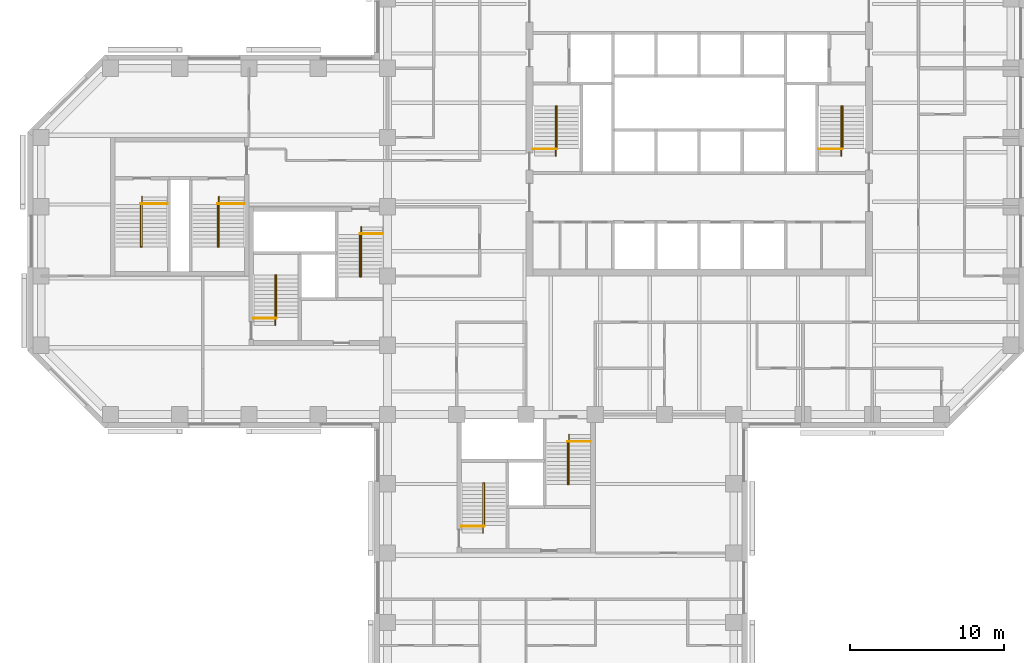
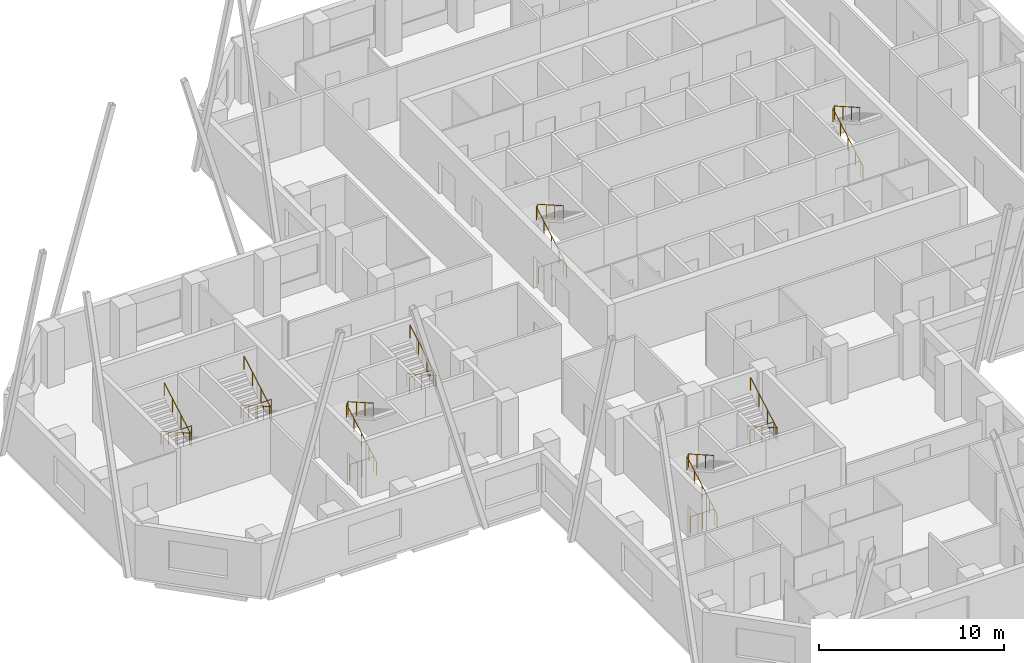
# One storey, part 11 of 11: 16 railings.
"""IFC4 building model written with IfcOpenShell, lengths in metres."""

import ifcopenshell
import ifcopenshell.guid

model = None  # the IFC model being written
_history = None  # IfcOwnerHistory: only IFC2X3 demands one
_inside = {}  # id of a spatial element -> (the spatial element, [elements in it])
_under = {}  # id of a project, library or spatial element -> (it, [spatial elements below it])
_declared = {}  # id of a project -> (the project, [libraries it declares])
_typed = {}  # id of a type object -> (the type object, [elements of that type])
_made_of = {}  # id of a material, layer set ... -> (it, [elements and type objects made of it])


def new_model(schema):
    """Start an empty IFC model of exactly this schema.

    Asked for "IFC4X3", IfcOpenShell would pick the latest addendum, in which some entities
    have other attributes; the version numbers below select the first issue.
    IFC2X3 requires an IfcOwnerHistory on every rooted entity: one is made here for all.
    """
    global model, _history
    if schema == "IFC4X3":
        model = ifcopenshell.file(schema_version=(4, 3, 0, 0))
    else:
        model = ifcopenshell.file(schema=schema)
    _inside.clear()
    _under.clear()
    _declared.clear()
    _typed.clear()
    _made_of.clear()
    _history = None
    if model.schema == "IFC2X3":
        org = make("IfcOrganization", Name="unknown")
        user = make(
            "IfcPersonAndOrganization",
            ThePerson=make("IfcPerson", FamilyName="unknown"),
            TheOrganization=org,
        )
        app = make(
            "IfcApplication",
            ApplicationDeveloper=org,
            Version="unknown",
            ApplicationFullName="unknown",
            ApplicationIdentifier="unknown",
        )
        _history = make(
            "IfcOwnerHistory",
            OwningUser=user,
            OwningApplication=app,
            ChangeAction="ADDED",
            CreationDate=0,
        )
    return model


def make(cls, **values):
    """One entity of the class cls with the attributes given. An attribute that is None is left unset."""
    return model.create_entity(
        cls, **{name: value for name, value in values.items() if value is not None}
    )


def rooted(cls, **values):
    """An entity with a GlobalId (a new one), such as an element, a storey or a relation."""
    return make(cls, GlobalId=ifcopenshell.guid.new(), OwnerHistory=_history, **values)


def si_unit(unit_type, name, prefix=None):
    """IfcSIUnit, for example si_unit("LENGTHUNIT", "METRE", prefix="MILLI")."""
    return make("IfcSIUnit", UnitType=unit_type, Prefix=prefix, Name=name)


def assignment(units):
    """IfcUnitAssignment: the units of a project."""
    return None if units is None else make("IfcUnitAssignment", Units=units)


def point(xyz):
    """IfcCartesianPoint."""
    return None if xyz is None else make("IfcCartesianPoint", Coordinates=xyz)


def direction(xyz):
    """IfcDirection."""
    return None if xyz is None else make("IfcDirection", DirectionRatios=xyz)


def frame(location, z_axis=None, x_axis=None):
    """IfcAxis2Placement3D, a coordinate frame: its origin and axes. An axis left out is left unset."""
    return make(
        "IfcAxis2Placement3D",
        Location=point(location),
        Axis=direction(z_axis),
        RefDirection=direction(x_axis),
    )


def frame_2d(location, x_axis=None):
    """IfcAxis2Placement2D, a coordinate frame in the plane: its origin and x axis."""
    return make(
        "IfcAxis2Placement2D", Location=point(location), RefDirection=direction(x_axis)
    )


def origin():
    """The frame at (0, 0, 0) with its axes left unset."""
    return frame((0.0, 0.0, 0.0))


def origin_2d():
    """The frame at (0, 0) in the plane with its x axis left unset."""
    return frame_2d((0.0, 0.0))


def place(relative_to, where):
    """IfcLocalPlacement: puts the frame where relative to a parent placement (None: the world)."""
    return make(
        "IfcLocalPlacement", PlacementRelTo=relative_to, RelativePlacement=where
    )


def context(
    kind, dimensions, precision=None, world=None, true_north=None, identifier=None
):
    """IfcGeometricRepresentationContext, for example the 3D "Model" context."""
    return make(
        "IfcGeometricRepresentationContext",
        ContextIdentifier=identifier,
        ContextType=kind,
        CoordinateSpaceDimension=dimensions,
        Precision=precision,
        WorldCoordinateSystem=world,
        TrueNorth=true_north,
    )


def subcontext(parent, identifier, kind, view, scale=None):
    """IfcGeometricRepresentationSubContext, for example "Body" below "Model"."""
    return make(
        "IfcGeometricRepresentationSubContext",
        ContextIdentifier=identifier,
        ContextType=kind,
        ParentContext=parent,
        TargetScale=scale,
        TargetView=view,
    )


def project(units=None, contexts=None):
    """IfcProject with its units and contexts."""
    return rooted(
        "IfcProject",
        Name="project",
        RepresentationContexts=contexts,
        UnitsInContext=assignment(units),
    )


def spatial(cls, under=None, at=None, **own):
    """A site, building, storey or space (cls), placed at a placement, below another one or the project."""
    s = rooted(cls, ObjectPlacement=at, **own)
    if under is not None:
        _under.setdefault(under.id(), (under, []))[1].append(s)
    return s


def profile(cls, at=None, kind="AREA", **sizes):
    """A parametric profile (cls). Its sizes go by their IFC names, for example OverallWidth=200.0."""
    return make(cls, ProfileType=kind, Position=at, **sizes)


def circle(**sizes):
    """IfcCircleProfileDef."""
    return profile("IfcCircleProfileDef", **sizes)


def extrude(swept, where, along, depth):
    """IfcExtrudedAreaSolid: the profile swept, set in the frame where, extruded along a direction by depth."""
    return make(
        "IfcExtrudedAreaSolid",
        SweptArea=swept,
        Position=where,
        ExtrudedDirection=direction(along),
        Depth=depth,
    )


def shape(context_of_items, identifier, shape_type, items):
    """IfcShapeRepresentation: the items that make up one representation, for example the "Body"."""
    return make(
        "IfcShapeRepresentation",
        ContextOfItems=context_of_items,
        RepresentationIdentifier=identifier,
        RepresentationType=shape_type,
        Items=items,
    )


def material(Name=None, Category=None):
    """IfcMaterial."""
    return make("IfcMaterial", Name=Name, Category=Category)


def made_of(thing, what):
    """Note that an element or type object is made of a material, layer set ...; save() writes the relation."""
    if what is not None:
        _made_of.setdefault(what.id(), (what, []))[1].append(thing)
    return thing


def type_object(cls, material=None, **own):
    """A type object (cls), such as IfcWallType, which elements share."""
    return made_of(rooted(cls, **own), material)


def element(
    cls,
    number,
    at=None,
    inside=None,
    cuts=None,
    type_object=None,
    material=None,
    context=None,
    identifier="Body",
    shape_type=None,
    held_by="IfcProductDefinitionShape",
    body=None,
    shapes=None,
    **own,
):
    """One element of the class cls, such as IfcWall. Its Tag is "e" and its number.

    at: its placement. inside: the storey or other place that contains it. cuts: it is an
    opening in that element (IfcRelVoidsElement). A single representation is given by context,
    identifier, shape_type and body (its items); several are given by shapes. held_by: the class
    of the entity that holds the representations. save() writes the other relations.
    """
    e = rooted(cls, Tag="e%d" % number, ObjectPlacement=at, **own)
    if body is not None:
        shapes = [shape(context, identifier, shape_type, body)]
    if shapes is not None:
        e.Representation = make(held_by, Representations=shapes)
    if inside is not None:
        _inside.setdefault(inside.id(), (inside, []))[1].append(e)
    if cuts is not None:
        rooted(
            "IfcRelVoidsElement", RelatingBuildingElement=cuts, RelatedOpeningElement=e
        )
    if type_object is not None:
        _typed.setdefault(type_object.id(), (type_object, []))[1].append(e)
    return made_of(e, material)


def aggregate(whole, parts):
    """IfcRelAggregates: a whole, such as a stair, and the parts it consists of."""
    return rooted("IfcRelAggregates", RelatingObject=whole, RelatedObjects=parts)


def save(model, path):
    """Write the relations noted so far, then the file.

    IfcRelAggregates (storeys below a building ...), IfcRelContainedInSpatialStructure (elements
    in a storey), IfcRelDefinesByType, IfcRelAssociatesMaterial and IfcRelDeclares: one each for
    every whole, place, type object, material and project.
    """
    for whole, parts in _under.values():
        aggregate(whole, parts)
    for where, things in _inside.values():
        rooted(
            "IfcRelContainedInSpatialStructure",
            RelatedElements=things,
            RelatingStructure=where,
        )
    for kind, things in _typed.values():
        rooted("IfcRelDefinesByType", RelatedObjects=things, RelatingType=kind)
    for what, things in _made_of.values():
        rooted("IfcRelAssociatesMaterial", RelatedObjects=things, RelatingMaterial=what)
    for by, libraries in _declared.values():
        rooted("IfcRelDeclares", RelatingContext=by, RelatedDefinitions=libraries)
    model.write(path)


model = new_model("IFC4")

# Units and contexts
model_context = context("Model", 3, precision=1e-05, world=origin(), true_north=direction((0.0, 1.0)))
body_context = subcontext(model_context, "Body", "Model", "MODEL_VIEW")
ifc_project = project(units=[si_unit("LENGTHUNIT", "METRE"), si_unit("AREAUNIT", "SQUARE_METRE"), si_unit("VOLUMEUNIT", "CUBIC_METRE"), si_unit("PLANEANGLEUNIT", "RADIAN"), si_unit("MASSUNIT", "GRAM", prefix="KILO")], contexts=[model_context])

# Site, building, storey
site_placement = place(None, origin())
site = spatial("IfcSite", under=ifc_project, at=site_placement, CompositionType="ELEMENT")
building_placement = place(site_placement, origin())
building = spatial("IfcBuilding", under=site, at=building_placement, Name="Quoin Convention Tower", CompositionType="ELEMENT")
storey_placement = place(building_placement, frame((0.0, 0.0, 127.0)))
storey = spatial("IfcBuildingStorey", under=building, at=storey_placement, Name="L33", CompositionType="ELEMENT", Elevation=127.0)

# Railings
ifc_material = material(Name="Stainless steel", Category="steel")
railing_type_1 = type_object("IfcRailingType", Name="Stair handrail 900", PredefinedType="HANDRAIL", material=ifc_material)
railing_1_placement = place(storey_placement, frame((46.929931640625, 57.300048828125, 0.142333984375)))
element("IfcRailing", 1, at=railing_1_placement, inside=storey, type_object=railing_type_1, Name="SD1 handrail 1", PredefinedType="HANDRAIL", context=body_context, shape_type="SweptSolid", body=[
    extrude(circle(Radius=0.02392578125, at=origin_2d()), frame((0.0, 0.0, 0.8759765625), z_axis=(0.0, 0.869081571614, 0.494668800189), x_axis=(-1.0, 0.0, 0.0)), (0.0, 0.0, 1.0), 3.739501953125),
    extrude(circle(Radius=0.02392578125, at=origin_2d()), frame((0.0, 3.25, 2.7255859375), z_axis=(0.53481069233, 0.0, 0.844971906852), x_axis=(0.0, 1.0, 0.0)), (0.0, 0.0, 1.0), 0.16845703125),
    extrude(circle(Radius=0.02392578125, at=origin_2d()), frame((0.090087890625, 3.25, 2.8681640625), z_axis=(0.0, -0.869058607571, 0.494709143443), x_axis=(1.0, 0.0, 0.0)), (0.0, 0.0, 1.0), 3.164306640625),
    extrude(circle(Radius=0.02099609375, at=origin_2d()), origin(), (0.0, 0.0, 1.0), 0.851806640625),
    extrude(circle(Radius=0.02099609375, at=origin_2d()), frame((0.0, 0.8125, 0.46240234375)), (0.0, 0.0, 1.0), 0.851806640625),
    extrude(circle(Radius=0.02099609375, at=origin_2d()), frame((0.0, 1.625, 0.9248046875)), (0.0, 0.0, 1.0), 0.851806640625),
    extrude(circle(Radius=0.02099609375, at=origin_2d()), frame((0.0, 2.4375, 1.387451171875)), (0.0, 0.0, 1.0), 0.851806640625),
    extrude(circle(Radius=0.02099609375, at=origin_2d()), frame((0.0, 3.25, 1.849853515625)), (0.0, 0.0, 1.0), 0.851806640625),
    extrude(circle(Radius=0.02099609375, at=origin_2d()), frame((0.090087890625, 3.25, 1.9921875)), (0.0, 0.0, 1.0), 0.851806640625),
    extrude(circle(Radius=0.02099609375, at=origin_2d()), frame((0.090087890625, 2.333251953125, 2.513916015625)), (0.0, 0.0, 1.0), 0.851806640625),
    extrude(circle(Radius=0.02099609375, at=origin_2d()), frame((0.090087890625, 1.416748046875, 3.035888671875)), (0.0, 0.0, 1.0), 0.851806640625),
    extrude(circle(Radius=0.02099609375, at=origin_2d()), frame((0.090087890625, 0.5, 3.5576171875)), (0.0, 0.0, 1.0), 0.851806640625),
])
railing_2_placement = place(storey_placement, frame((65.47998046875, 57.300048828125, 0.142333984375)))
element("IfcRailing", 2, at=railing_2_placement, inside=storey, type_object=railing_type_1, Name="SD2 handrail 1", PredefinedType="HANDRAIL", context=body_context, shape_type="SweptSolid", body=[
    extrude(circle(Radius=0.02392578125, at=origin_2d()), frame((0.0, 0.0, 0.8759765625), z_axis=(0.0, 0.869081571614, 0.494668800189), x_axis=(-1.0, 0.0, 0.0)), (0.0, 0.0, 1.0), 3.739501953125),
    extrude(circle(Radius=0.02392578125, at=origin_2d()), frame((0.0, 3.25, 2.7255859375), z_axis=(0.53481069233, 0.0, 0.844971906852), x_axis=(0.0, 1.0, 0.0)), (0.0, 0.0, 1.0), 0.16845703125),
    extrude(circle(Radius=0.02392578125, at=origin_2d()), frame((0.090087890625, 3.25, 2.8681640625), z_axis=(0.0, -0.869058607571, 0.494709143443), x_axis=(1.0, 0.0, 0.0)), (0.0, 0.0, 1.0), 3.164306640625),
    extrude(circle(Radius=0.02099609375, at=origin_2d()), origin(), (0.0, 0.0, 1.0), 0.851806640625),
    extrude(circle(Radius=0.02099609375, at=origin_2d()), frame((0.0, 0.8125, 0.46240234375)), (0.0, 0.0, 1.0), 0.851806640625),
    extrude(circle(Radius=0.02099609375, at=origin_2d()), frame((0.0, 1.625, 0.9248046875)), (0.0, 0.0, 1.0), 0.851806640625),
    extrude(circle(Radius=0.02099609375, at=origin_2d()), frame((0.0, 2.4375, 1.387451171875)), (0.0, 0.0, 1.0), 0.851806640625),
    extrude(circle(Radius=0.02099609375, at=origin_2d()), frame((0.0, 3.25, 1.849853515625)), (0.0, 0.0, 1.0), 0.851806640625),
    extrude(circle(Radius=0.02099609375, at=origin_2d()), frame((0.090087890625, 3.25, 1.9921875)), (0.0, 0.0, 1.0), 0.851806640625),
    extrude(circle(Radius=0.02099609375, at=origin_2d()), frame((0.090087890625, 2.333251953125, 2.513916015625)), (0.0, 0.0, 1.0), 0.851806640625),
    extrude(circle(Radius=0.02099609375, at=origin_2d()), frame((0.090087890625, 1.416748046875, 3.035888671875)), (0.0, 0.0, 1.0), 0.851806640625),
    extrude(circle(Radius=0.02099609375, at=origin_2d()), frame((0.090087890625, 0.5, 3.5576171875)), (0.0, 0.0, 1.0), 0.851806640625),
])
railing_3_placement = place(storey_placement, frame((28.705078125, 46.300048828125, 0.142333984375)))
element("IfcRailing", 3, at=railing_3_placement, inside=storey, type_object=railing_type_1, Name="SD3 handrail 1", PredefinedType="HANDRAIL", context=body_context, shape_type="SweptSolid", body=[
    extrude(circle(Radius=0.02392578125, at=origin_2d()), frame((0.0, 0.0, 0.8759765625), z_axis=(0.0, 0.869081571614, 0.494668800189), x_axis=(-1.0, 0.0, 0.0)), (0.0, 0.0, 1.0), 3.739501953125),
    extrude(circle(Radius=0.02392578125, at=origin_2d()), frame((0.0, 3.25, 2.7255859375), z_axis=(0.533774684331, 0.0, 0.845626741753), x_axis=(0.0, 1.0, 0.0)), (0.0, 0.0, 1.0), 0.168212890625),
    extrude(circle(Radius=0.02392578125, at=origin_2d()), frame((0.08984375, 3.25, 2.8681640625), z_axis=(0.0, -0.869058607571, 0.494709143443), x_axis=(1.0, 0.0, 0.0)), (0.0, 0.0, 1.0), 3.164306640625),
    extrude(circle(Radius=0.02099609375, at=origin_2d()), origin(), (0.0, 0.0, 1.0), 0.851806640625),
    extrude(circle(Radius=0.02099609375, at=origin_2d()), frame((0.0, 0.8125, 0.46240234375)), (0.0, 0.0, 1.0), 0.851806640625),
    extrude(circle(Radius=0.02099609375, at=origin_2d()), frame((0.0, 1.625, 0.9248046875)), (0.0, 0.0, 1.0), 0.851806640625),
    extrude(circle(Radius=0.02099609375, at=origin_2d()), frame((0.0, 2.4375, 1.387451171875)), (0.0, 0.0, 1.0), 0.851806640625),
    extrude(circle(Radius=0.02099609375, at=origin_2d()), frame((0.0, 3.25, 1.849853515625)), (0.0, 0.0, 1.0), 0.851806640625),
    extrude(circle(Radius=0.02099609375, at=origin_2d()), frame((0.08984375, 3.25, 1.9921875)), (0.0, 0.0, 1.0), 0.851806640625),
    extrude(circle(Radius=0.02099609375, at=origin_2d()), frame((0.08984375, 2.333251953125, 2.513916015625)), (0.0, 0.0, 1.0), 0.851806640625),
    extrude(circle(Radius=0.02099609375, at=origin_2d()), frame((0.08984375, 1.416748046875, 3.035888671875)), (0.0, 0.0, 1.0), 0.851806640625),
    extrude(circle(Radius=0.02099609375, at=origin_2d()), frame((0.08984375, 0.5, 3.5576171875)), (0.0, 0.0, 1.0), 0.851806640625),
])
railing_4_placement = place(storey_placement, frame((34.294921875, 52.699951171875, 0.142333984375)))
element("IfcRailing", 4, at=railing_4_placement, inside=storey, type_object=railing_type_1, Name="SD4 handrail 1", PredefinedType="HANDRAIL", context=body_context, shape_type="SweptSolid", body=[
    extrude(circle(Radius=0.02392578125, at=origin_2d()), frame((0.0, 0.0, 0.8759765625), z_axis=(0.0, -0.869081571614, 0.494668800189), x_axis=(1.0, 0.0, 0.0)), (0.0, 0.0, 1.0), 3.739501953125),
    extrude(circle(Radius=0.02392578125, at=origin_2d()), frame((0.0, -3.25, 2.7255859375), z_axis=(-0.533774684331, 0.0, 0.845626741753), x_axis=(0.0, -1.0, 0.0)), (0.0, 0.0, 1.0), 0.168212890625),
    extrude(circle(Radius=0.02392578125, at=origin_2d()), frame((-0.08984375, -3.25, 2.8681640625), z_axis=(0.0, 0.869058607571, 0.494709143443), x_axis=(-1.0, 0.0, 0.0)), (0.0, 0.0, 1.0), 3.164306640625),
    extrude(circle(Radius=0.02099609375, at=origin_2d()), origin(), (0.0, 0.0, 1.0), 0.851806640625),
    extrude(circle(Radius=0.02099609375, at=origin_2d()), frame((0.0, -0.8125, 0.46240234375)), (0.0, 0.0, 1.0), 0.851806640625),
    extrude(circle(Radius=0.02099609375, at=origin_2d()), frame((0.0, -1.625, 0.9248046875)), (0.0, 0.0, 1.0), 0.851806640625),
    extrude(circle(Radius=0.02099609375, at=origin_2d()), frame((0.0, -2.4375, 1.387451171875)), (0.0, 0.0, 1.0), 0.851806640625),
    extrude(circle(Radius=0.02099609375, at=origin_2d()), frame((0.0, -3.25, 1.849853515625)), (0.0, 0.0, 1.0), 0.851806640625),
    extrude(circle(Radius=0.02099609375, at=origin_2d()), frame((-0.08984375, -3.25, 1.9921875)), (0.0, 0.0, 1.0), 0.851806640625),
    extrude(circle(Radius=0.02099609375, at=origin_2d()), frame((-0.08984375, -2.333251953125, 2.513916015625)), (0.0, 0.0, 1.0), 0.851806640625),
    extrude(circle(Radius=0.02099609375, at=origin_2d()), frame((-0.08984375, -1.416748046875, 3.035888671875)), (0.0, 0.0, 1.0), 0.851806640625),
    extrude(circle(Radius=0.02099609375, at=origin_2d()), frame((-0.08984375, -0.5, 3.5576171875)), (0.0, 0.0, 1.0), 0.851806640625),
])
railing_5_placement = place(storey_placement, frame((42.205078125, 32.800048828125, 0.142333984375)))
element("IfcRailing", 5, at=railing_5_placement, inside=storey, type_object=railing_type_1, Name="SD5 handrail 1", PredefinedType="HANDRAIL", context=body_context, shape_type="SweptSolid", body=[
    extrude(circle(Radius=0.02392578125, at=origin_2d()), frame((0.0, 0.0, 0.8759765625), z_axis=(0.0, 0.869081571614, 0.494668800189), x_axis=(-1.0, 0.0, 0.0)), (0.0, 0.0, 1.0), 3.739501953125),
    extrude(circle(Radius=0.02392578125, at=origin_2d()), frame((0.0, 3.25, 2.7255859375), z_axis=(0.533774684331, 0.0, 0.845626741753), x_axis=(0.0, 1.0, 0.0)), (0.0, 0.0, 1.0), 0.168212890625),
    extrude(circle(Radius=0.02392578125, at=origin_2d()), frame((0.08984375, 3.25, 2.8681640625), z_axis=(0.0, -0.869058607571, 0.494709143443), x_axis=(1.0, 0.0, 0.0)), (0.0, 0.0, 1.0), 3.164306640625),
    extrude(circle(Radius=0.02099609375, at=origin_2d()), origin(), (0.0, 0.0, 1.0), 0.851806640625),
    extrude(circle(Radius=0.02099609375, at=origin_2d()), frame((0.0, 0.8125, 0.46240234375)), (0.0, 0.0, 1.0), 0.851806640625),
    extrude(circle(Radius=0.02099609375, at=origin_2d()), frame((0.0, 1.625, 0.9248046875)), (0.0, 0.0, 1.0), 0.851806640625),
    extrude(circle(Radius=0.02099609375, at=origin_2d()), frame((0.0, 2.4375, 1.387451171875)), (0.0, 0.0, 1.0), 0.851806640625),
    extrude(circle(Radius=0.02099609375, at=origin_2d()), frame((0.0, 3.25, 1.849853515625)), (0.0, 0.0, 1.0), 0.851806640625),
    extrude(circle(Radius=0.02099609375, at=origin_2d()), frame((0.08984375, 3.25, 1.9921875)), (0.0, 0.0, 1.0), 0.851806640625),
    extrude(circle(Radius=0.02099609375, at=origin_2d()), frame((0.08984375, 2.333251953125, 2.513916015625)), (0.0, 0.0, 1.0), 0.851806640625),
    extrude(circle(Radius=0.02099609375, at=origin_2d()), frame((0.08984375, 1.416748046875, 3.035888671875)), (0.0, 0.0, 1.0), 0.851806640625),
    extrude(circle(Radius=0.02099609375, at=origin_2d()), frame((0.08984375, 0.5, 3.5576171875)), (0.0, 0.0, 1.0), 0.851806640625),
])
railing_6_placement = place(storey_placement, frame((47.794921875, 39.199951171875, 0.142333984375)))
element("IfcRailing", 6, at=railing_6_placement, inside=storey, type_object=railing_type_1, Name="SD6 handrail 1", PredefinedType="HANDRAIL", context=body_context, shape_type="SweptSolid", body=[
    extrude(circle(Radius=0.02392578125, at=origin_2d()), frame((0.0, 0.0, 0.8759765625), z_axis=(0.0, -0.869081571614, 0.494668800189), x_axis=(1.0, 0.0, 0.0)), (0.0, 0.0, 1.0), 3.739501953125),
    extrude(circle(Radius=0.02392578125, at=origin_2d()), frame((0.0, -3.25, 2.7255859375), z_axis=(-0.533774684331, 0.0, 0.845626741753), x_axis=(0.0, -1.0, 0.0)), (0.0, 0.0, 1.0), 0.168212890625),
    extrude(circle(Radius=0.02392578125, at=origin_2d()), frame((-0.08984375, -3.25, 2.8681640625), z_axis=(0.0, 0.869058607571, 0.494709143443), x_axis=(-1.0, 0.0, 0.0)), (0.0, 0.0, 1.0), 3.164306640625),
    extrude(circle(Radius=0.02099609375, at=origin_2d()), origin(), (0.0, 0.0, 1.0), 0.851806640625),
    extrude(circle(Radius=0.02099609375, at=origin_2d()), frame((0.0, -0.8125, 0.46240234375)), (0.0, 0.0, 1.0), 0.851806640625),
    extrude(circle(Radius=0.02099609375, at=origin_2d()), frame((0.0, -1.625, 0.9248046875)), (0.0, 0.0, 1.0), 0.851806640625),
    extrude(circle(Radius=0.02099609375, at=origin_2d()), frame((0.0, -2.4375, 1.387451171875)), (0.0, 0.0, 1.0), 0.851806640625),
    extrude(circle(Radius=0.02099609375, at=origin_2d()), frame((0.0, -3.25, 1.849853515625)), (0.0, 0.0, 1.0), 0.851806640625),
    extrude(circle(Radius=0.02099609375, at=origin_2d()), frame((-0.08984375, -3.25, 1.9921875)), (0.0, 0.0, 1.0), 0.851806640625),
    extrude(circle(Radius=0.02099609375, at=origin_2d()), frame((-0.08984375, -2.333251953125, 2.513916015625)), (0.0, 0.0, 1.0), 0.851806640625),
    extrude(circle(Radius=0.02099609375, at=origin_2d()), frame((-0.08984375, -1.416748046875, 3.035888671875)), (0.0, 0.0, 1.0), 0.851806640625),
    extrude(circle(Radius=0.02099609375, at=origin_2d()), frame((-0.08984375, -0.5, 3.5576171875)), (0.0, 0.0, 1.0), 0.851806640625),
])
railing_7_placement = place(storey_placement, frame((20.044921875, 54.64990234375, 0.142333984375)))
element("IfcRailing", 7, at=railing_7_placement, inside=storey, type_object=railing_type_1, Name="SD11 handrail 1", PredefinedType="HANDRAIL", context=body_context, shape_type="SweptSolid", body=[
    extrude(circle(Radius=0.02392578125, at=origin_2d()), frame((0.0, 0.0, 0.8759765625), z_axis=(0.0, -0.869081571614, 0.494668800189), x_axis=(1.0, 0.0, 0.0)), (0.0, 0.0, 1.0), 3.739501953125),
    extrude(circle(Radius=0.02392578125, at=origin_2d()), frame((0.0, -3.25, 2.7255859375), z_axis=(-0.533774684331, 0.0, 0.845626741753), x_axis=(0.0, -1.0, 0.0)), (0.0, 0.0, 1.0), 0.168212890625),
    extrude(circle(Radius=0.02392578125, at=origin_2d()), frame((-0.08984375, -3.25, 2.8681640625), z_axis=(0.0, 0.869058607571, 0.494709143443), x_axis=(-1.0, 0.0, 0.0)), (0.0, 0.0, 1.0), 3.164306640625),
    extrude(circle(Radius=0.02099609375, at=origin_2d()), origin(), (0.0, 0.0, 1.0), 0.851806640625),
    extrude(circle(Radius=0.02099609375, at=origin_2d()), frame((0.0, -0.8125, 0.46240234375)), (0.0, 0.0, 1.0), 0.851806640625),
    extrude(circle(Radius=0.02099609375, at=origin_2d()), frame((0.0, -1.625, 0.9248046875)), (0.0, 0.0, 1.0), 0.851806640625),
    extrude(circle(Radius=0.02099609375, at=origin_2d()), frame((0.0, -2.4375, 1.387451171875)), (0.0, 0.0, 1.0), 0.851806640625),
    extrude(circle(Radius=0.02099609375, at=origin_2d()), frame((0.0, -3.25, 1.849853515625)), (0.0, 0.0, 1.0), 0.851806640625),
    extrude(circle(Radius=0.02099609375, at=origin_2d()), frame((-0.08984375, -3.25, 1.9921875)), (0.0, 0.0, 1.0), 0.851806640625),
    extrude(circle(Radius=0.02099609375, at=origin_2d()), frame((-0.08984375, -2.333251953125, 2.513916015625)), (0.0, 0.0, 1.0), 0.851806640625),
    extrude(circle(Radius=0.02099609375, at=origin_2d()), frame((-0.08984375, -1.416748046875, 3.035888671875)), (0.0, 0.0, 1.0), 0.851806640625),
    extrude(circle(Radius=0.02099609375, at=origin_2d()), frame((-0.08984375, -0.5, 3.5576171875)), (0.0, 0.0, 1.0), 0.851806640625),
])
railing_8_placement = place(storey_placement, frame((25.044921875, 54.64990234375, 0.142333984375)))
element("IfcRailing", 8, at=railing_8_placement, inside=storey, type_object=railing_type_1, Name="SD12 handrail 1", PredefinedType="HANDRAIL", context=body_context, shape_type="SweptSolid", body=[
    extrude(circle(Radius=0.02392578125, at=origin_2d()), frame((0.0, 0.0, 0.8759765625), z_axis=(0.0, -0.869081571614, 0.494668800189), x_axis=(1.0, 0.0, 0.0)), (0.0, 0.0, 1.0), 3.739501953125),
    extrude(circle(Radius=0.02392578125, at=origin_2d()), frame((0.0, -3.25, 2.7255859375), z_axis=(-0.533774684331, 0.0, 0.845626741753), x_axis=(0.0, -1.0, 0.0)), (0.0, 0.0, 1.0), 0.168212890625),
    extrude(circle(Radius=0.02392578125, at=origin_2d()), frame((-0.08984375, -3.25, 2.8681640625), z_axis=(0.0, 0.869058607571, 0.494709143443), x_axis=(-1.0, 0.0, 0.0)), (0.0, 0.0, 1.0), 3.164306640625),
    extrude(circle(Radius=0.02099609375, at=origin_2d()), origin(), (0.0, 0.0, 1.0), 0.851806640625),
    extrude(circle(Radius=0.02099609375, at=origin_2d()), frame((0.0, -0.8125, 0.46240234375)), (0.0, 0.0, 1.0), 0.851806640625),
    extrude(circle(Radius=0.02099609375, at=origin_2d()), frame((0.0, -1.625, 0.9248046875)), (0.0, 0.0, 1.0), 0.851806640625),
    extrude(circle(Radius=0.02099609375, at=origin_2d()), frame((0.0, -2.4375, 1.387451171875)), (0.0, 0.0, 1.0), 0.851806640625),
    extrude(circle(Radius=0.02099609375, at=origin_2d()), frame((0.0, -3.25, 1.849853515625)), (0.0, 0.0, 1.0), 0.851806640625),
    extrude(circle(Radius=0.02099609375, at=origin_2d()), frame((-0.08984375, -3.25, 1.9921875)), (0.0, 0.0, 1.0), 0.851806640625),
    extrude(circle(Radius=0.02099609375, at=origin_2d()), frame((-0.08984375, -2.333251953125, 2.513916015625)), (0.0, 0.0, 1.0), 0.851806640625),
    extrude(circle(Radius=0.02099609375, at=origin_2d()), frame((-0.08984375, -1.416748046875, 3.035888671875)), (0.0, 0.0, 1.0), 0.851806640625),
    extrude(circle(Radius=0.02099609375, at=origin_2d()), frame((-0.08984375, -0.5, 3.5576171875)), (0.0, 0.0, 1.0), 0.851806640625),
])
railing_type_2 = type_object("IfcRailingType", Name="Stair top guard 1100", PredefinedType="GUARDRAIL", material=ifc_material)
for number, where, name in (
    (9, (45.449951171875, 57.75, 0.0), "SD1 top guard"),
    (10, (64.0, 57.75, 0.0), "SD2 top guard"),
):
    element("IfcRailing", number, at=place(storey_placement, frame(where)), inside=storey, type_object=railing_type_2, Name=name, PredefinedType="GUARDRAIL", context=body_context, shape_type="SweptSolid", body=[
        extrude(circle(Radius=0.02392578125, at=origin_2d()), frame((0.0, 0.0, 1.076171875), z_axis=(1.0, 0.0, 0.0), x_axis=(0.0, 1.0, 0.0)), (0.0, 0.0, 1.0), 1.570068359375),
        extrude(circle(Radius=0.02099609375, at=origin_2d()), origin(), (0.0, 0.0, 1.0), 1.052001953125),
        extrude(circle(Radius=0.02099609375, at=origin_2d()), frame((0.78515625, 0.0, 0.0)), (0.0, 0.0, 1.0), 1.052001953125),
        extrude(circle(Radius=0.02099609375, at=origin_2d()), frame((1.570068359375, 0.0, 0.0)), (0.0, 0.0, 1.0), 1.052001953125),
    ])
railing_9_placement = place(storey_placement, frame((27.300048828125, 46.75, 0.0)))
element("IfcRailing", 11, at=railing_9_placement, inside=storey, type_object=railing_type_2, Name="SD3 top guard", PredefinedType="GUARDRAIL", context=body_context, shape_type="SweptSolid", body=[
    extrude(circle(Radius=0.02392578125, at=origin_2d()), frame((0.0, 0.0, 1.076171875), z_axis=(1.0, 0.0, 0.0), x_axis=(0.0, 1.0, 0.0)), (0.0, 0.0, 1.0), 1.494873046875),
    extrude(circle(Radius=0.02099609375, at=origin_2d()), origin(), (0.0, 0.0, 1.0), 1.052001953125),
    extrude(circle(Radius=0.02099609375, at=origin_2d()), frame((0.74755859375, 0.0, 0.0)), (0.0, 0.0, 1.0), 1.052001953125),
    extrude(circle(Radius=0.02099609375, at=origin_2d()), frame((1.494873046875, 0.0, 0.0)), (0.0, 0.0, 1.0), 1.052001953125),
])
railing_10_placement = place(storey_placement, frame((35.699951171875, 52.25, 0.0)))
element("IfcRailing", 12, at=railing_10_placement, inside=storey, type_object=railing_type_2, Name="SD4 top guard", PredefinedType="GUARDRAIL", context=body_context, shape_type="SweptSolid", body=[
    extrude(circle(Radius=0.02392578125, at=origin_2d()), frame((0.0, 0.0, 1.076171875), z_axis=(-1.0, 0.0, 0.0), x_axis=(0.0, -1.0, 0.0)), (0.0, 0.0, 1.0), 1.494873046875),
    extrude(circle(Radius=0.02099609375, at=origin_2d()), origin(), (0.0, 0.0, 1.0), 1.052001953125),
    extrude(circle(Radius=0.02099609375, at=origin_2d()), frame((-0.74755859375, 0.0, 0.0)), (0.0, 0.0, 1.0), 1.052001953125),
    extrude(circle(Radius=0.02099609375, at=origin_2d()), frame((-1.494873046875, 0.0, 0.0)), (0.0, 0.0, 1.0), 1.052001953125),
])
railing_11_placement = place(storey_placement, frame((40.800048828125, 33.25, 0.0)))
element("IfcRailing", 13, at=railing_11_placement, inside=storey, type_object=railing_type_2, Name="SD5 top guard", PredefinedType="GUARDRAIL", context=body_context, shape_type="SweptSolid", body=[
    extrude(circle(Radius=0.02392578125, at=origin_2d()), frame((0.0, 0.0, 1.076171875), z_axis=(1.0, 0.0, 0.0), x_axis=(0.0, 1.0, 0.0)), (0.0, 0.0, 1.0), 1.494873046875),
    extrude(circle(Radius=0.02099609375, at=origin_2d()), origin(), (0.0, 0.0, 1.0), 1.052001953125),
    extrude(circle(Radius=0.02099609375, at=origin_2d()), frame((0.74755859375, 0.0, 0.0)), (0.0, 0.0, 1.0), 1.052001953125),
    extrude(circle(Radius=0.02099609375, at=origin_2d()), frame((1.494873046875, 0.0, 0.0)), (0.0, 0.0, 1.0), 1.052001953125),
])
railing_12_placement = place(storey_placement, frame((49.199951171875, 38.75, 0.0)))
element("IfcRailing", 14, at=railing_12_placement, inside=storey, type_object=railing_type_2, Name="SD6 top guard", PredefinedType="GUARDRAIL", context=body_context, shape_type="SweptSolid", body=[
    extrude(circle(Radius=0.02392578125, at=origin_2d()), frame((0.0, 0.0, 1.076171875), z_axis=(-1.0, 0.0, 0.0), x_axis=(0.0, -1.0, 0.0)), (0.0, 0.0, 1.0), 1.494873046875),
    extrude(circle(Radius=0.02099609375, at=origin_2d()), origin(), (0.0, 0.0, 1.0), 1.052001953125),
    extrude(circle(Radius=0.02099609375, at=origin_2d()), frame((-0.74755859375, 0.0, 0.0)), (0.0, 0.0, 1.0), 1.052001953125),
    extrude(circle(Radius=0.02099609375, at=origin_2d()), frame((-1.494873046875, 0.0, 0.0)), (0.0, 0.0, 1.0), 1.052001953125),
])
for number, where, name in (
    (15, (21.699951171875, 54.199951171875, 0.0), "SD11 top guard"),
    (16, (26.699951171875, 54.199951171875, 0.0), "SD12 top guard"),
):
    element("IfcRailing", number, at=place(storey_placement, frame(where)), inside=storey, type_object=railing_type_2, Name=name, PredefinedType="GUARDRAIL", context=body_context, shape_type="SweptSolid", body=[
        extrude(circle(Radius=0.02392578125, at=origin_2d()), frame((0.0, 0.0, 1.076171875), z_axis=(-1.0, 0.0, 0.0), x_axis=(0.0, -1.0, 0.0)), (0.0, 0.0, 1.0), 1.744873046875),
        extrude(circle(Radius=0.02099609375, at=origin_2d()), origin(), (0.0, 0.0, 1.0), 1.052001953125),
        extrude(circle(Radius=0.02099609375, at=origin_2d()), frame((-0.87255859375, 0.0, 0.0)), (0.0, 0.0, 1.0), 1.052001953125),
        extrude(circle(Radius=0.02099609375, at=origin_2d()), frame((-1.744873046875, 0.0, 0.0)), (0.0, 0.0, 1.0), 1.052001953125),
    ])

save(model, "model.ifc")
